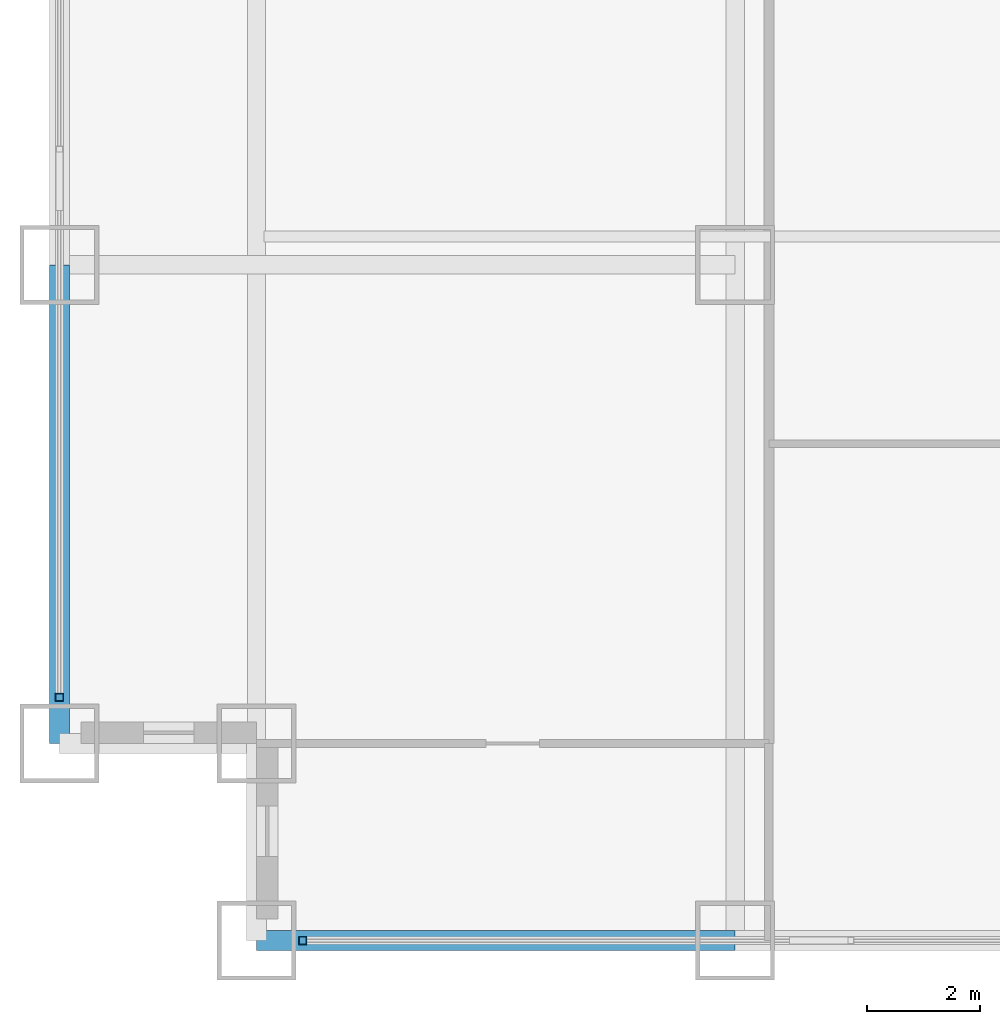
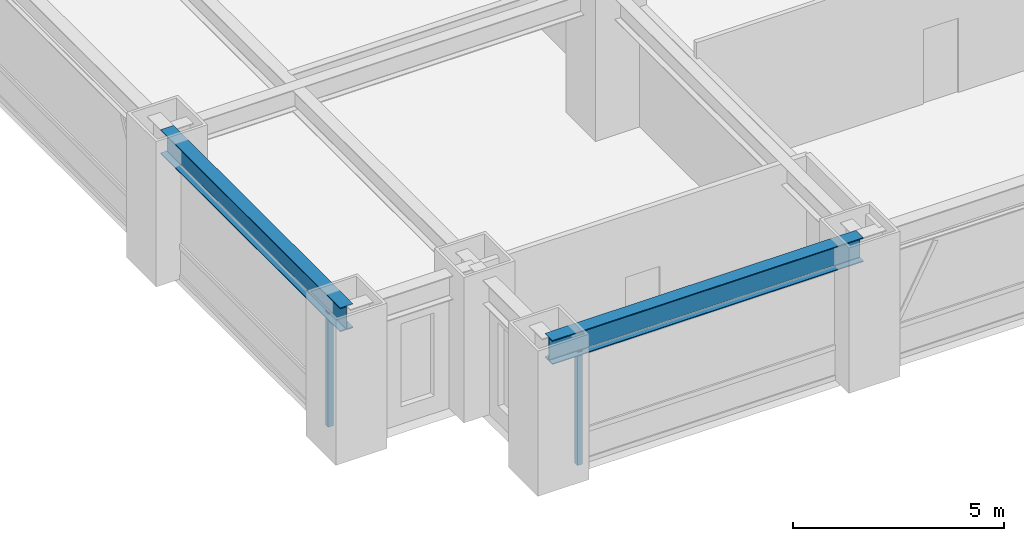
# One storey, part 2 of 28: 2 beams, 2 members, 2 elements without a shape of their own.
"""IFC4 building model written with IfcOpenShell, lengths in metres."""

from ifc_helpers import new_model, si_unit, direction, frame, origin, origin_2d, place, context, subcontext, project, spatial, hollow_rectangle, i_section, extrude, source, transform, mapped, material, material_profile, profile_set, type_object, element, aggregate, save


model = new_model("IFC4")

# Units and contexts
model_context = context("Model", 3, precision=1e-05, world=origin(), true_north=direction((0.0, 1.0)))
body_context = subcontext(model_context, "Body", "Model", "MODEL_VIEW")
ifc_project = project(units=[si_unit("LENGTHUNIT", "METRE"), si_unit("AREAUNIT", "SQUARE_METRE"), si_unit("VOLUMEUNIT", "CUBIC_METRE"), si_unit("PLANEANGLEUNIT", "RADIAN"), si_unit("MASSUNIT", "GRAM", prefix="KILO")], contexts=[model_context])

# Site, building, storey
site_placement = place(None, origin())
site = spatial("IfcSite", under=ifc_project, at=site_placement, CompositionType="ELEMENT")
building_placement = place(site_placement, origin())
building = spatial("IfcBuilding", under=site, at=building_placement, Name="Khorayat Bourse Tower", CompositionType="ELEMENT")
storey_placement = place(building_placement, frame((0.0, 0.0, 66.199951171875)))
storey = spatial("IfcBuildingStorey", under=building, at=storey_placement, Name="L14", CompositionType="ELEMENT", Elevation=66.199951171875)

# Beams
ifc_material_1 = material(Name="Steel ASTM A992 Grade 50", Category="steel")
ifc_material_profile_1 = material_profile(ifc_material_1, i_section(OverallWidth=0.35498046875, OverallDepth=0.695068359375, WebThickness=0.015380859375, FlangeThickness=0.02490234375, FilletRadius=0.01806640625, at=origin_2d()), Name="W690X217")
ifc_profile_set_1 = profile_set([ifc_material_profile_1], Name="Steel ASTM A992 Grade 50")
beam_type = type_object("IfcBeamType", Name="BM-SPAN-690", PredefinedType="SPANDREL", material=ifc_profile_set_1)
shared_shape_1 = source(origin(), body_context, "Body", "SweptSolid", [
    extrude(i_section(OverallWidth=0.35498046875, OverallDepth=0.695068359375, WebThickness=0.015380859375, FlangeThickness=0.02490234375, FilletRadius=0.01806640625, at=origin_2d()), origin(), (0.0, 0.0, 1.0), 8.5),
])
for number, where, z_axis, x_axis, name in (
    (1, (-28.5, -32.0, 3.592529296875), (1.0, 0.0, 0.0), (0.0, 1.0, 0.0), "L14 BM-SPAN-690 BM-L14-SPN-024"),
    (2, (-32.0, -28.5, 3.592529296875), (0.0, 1.0, 0.0), (-1.0, 0.0, 0.0), "L14 BM-SPAN-690 BM-L14-SPN-061"),
):
    element("IfcBeam", number, at=place(storey_placement, frame(where, z_axis=z_axis, x_axis=x_axis)), inside=storey, type_object=beam_type, Name=name, PredefinedType="SPANDREL", context=body_context, shape_type="MappedRepresentation", body=[
        mapped(shared_shape_1, transform((0.0, 0.0, 0.0), scale=1.0)),
    ])

# Curtain wall, member
ifc_material_2 = material(Name="Aluminium EN AW-6063 T6", Category="aluminium")
curtain_wall_type = type_object("IfcCurtainWallType", Name="CW-SYS-02", PredefinedType="NOTDEFINED", material=ifc_material_2)
curtain_wall_1_placement = place(storey_placement, origin())
curtain_wall_1 = element("IfcCurtainWall", 3, at=curtain_wall_1_placement, inside=storey, type_object=curtain_wall_type, Name="L14 Curtain Wall CW-L14-S1", PredefinedType="NOTDEFINED")
ifc_material_profile_2 = material_profile(ifc_material_2, hollow_rectangle(XDim=0.139892578125, YDim=0.139892578125, WallThickness=0.006103515625, at=origin_2d()), Name="ALU 140x140x6")
ifc_profile_set_2 = profile_set([ifc_material_profile_2], Name="Aluminium EN AW-6063 T6")
member_type = type_object("IfcMemberType", Name="CWM-VERT-140", PredefinedType="MULLION", material=ifc_profile_set_2)
shared_shape_2 = source(origin(), body_context, "Body", "SweptSolid", [
    extrude(hollow_rectangle(XDim=0.139892578125, YDim=0.139892578125, WallThickness=0.006103515625, at=origin_2d()), origin(), (0.0, 0.0, 1.0), 3.2900390625),
])
member_1_placement = place(storey_placement, frame((-27.679931640625, -32.0, 0.0), z_axis=(0.0, 0.0, 1.0), x_axis=(0.0, 1.0, 0.0)))
member_1 = element("IfcMember", 4, at=member_1_placement, type_object=member_type, Name="CW-L14-S1 Vertical Mullion 1", PredefinedType="MULLION", context=body_context, shape_type="MappedRepresentation", body=[
    mapped(shared_shape_2, transform((0.0, 0.0, 0.0), scale=1.0)),
])
aggregate(curtain_wall_1, [member_1])

curtain_wall_2_placement = place(storey_placement, origin())
curtain_wall_2 = element("IfcCurtainWall", 5, at=curtain_wall_2_placement, inside=storey, type_object=curtain_wall_type, Name="L14 Curtain Wall CW-L14-W1", PredefinedType="NOTDEFINED")
member_2_placement = place(storey_placement, frame((-32.0, -27.679931640625, 0.0), z_axis=(0.0, 0.0, 1.0), x_axis=(-1.0, 0.0, 0.0)))
member_2 = element("IfcMember", 6, at=member_2_placement, type_object=member_type, Name="CW-L14-W1 Vertical Mullion 1", PredefinedType="MULLION", context=body_context, shape_type="MappedRepresentation", body=[
    mapped(shared_shape_2, transform((0.0, 0.0, 0.0), scale=1.0)),
])
aggregate(curtain_wall_2, [member_2])

save(model, "model.ifc")
